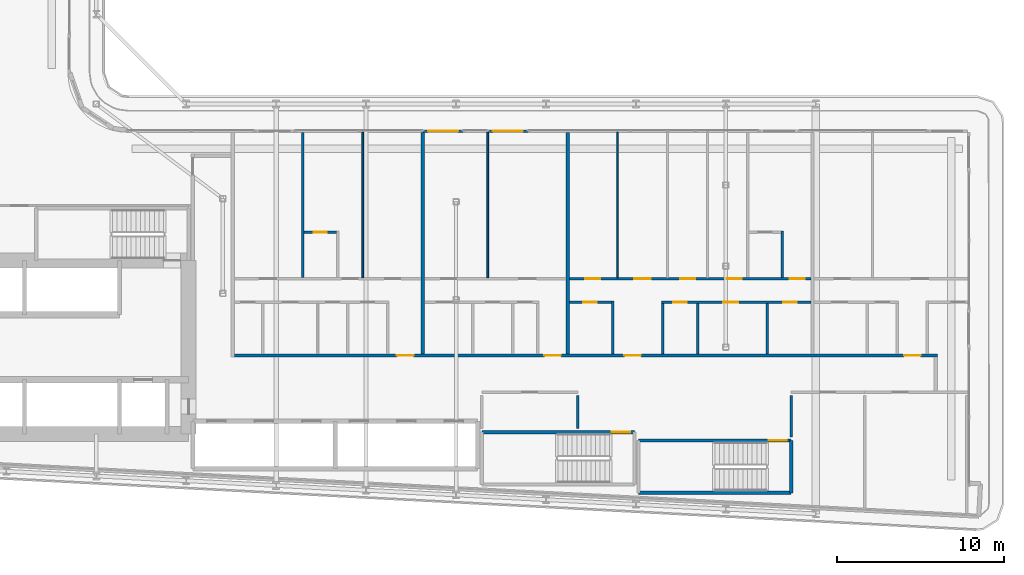
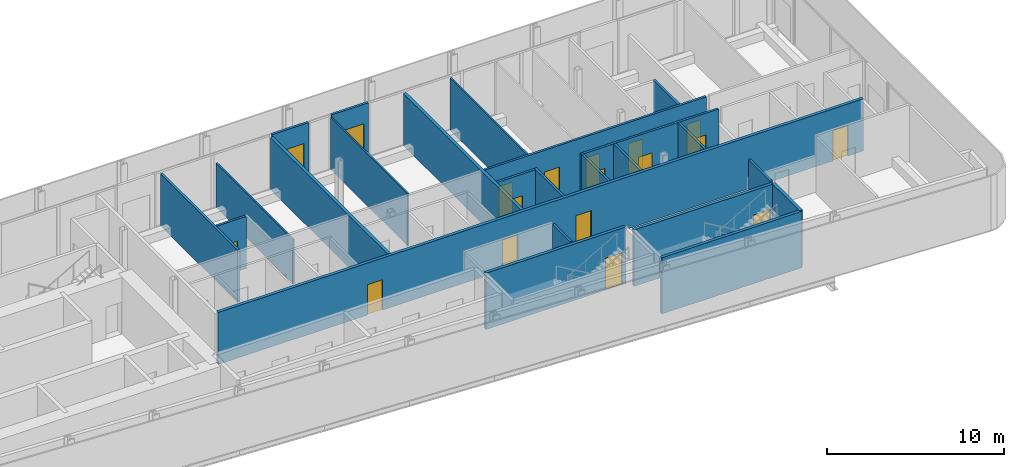
# One storey, part 14 of 25: 24 walls, 18 doors, 18 openings.
"""IFC4 building model written with IfcOpenShell, lengths in metres."""

from ifc_helpers import new_model, si_unit, direction, frame, frame_2d, origin, place, context, subcontext, project, spatial, rectangle, extrude, source, transform, mapped, material, layer, layer_set, type_object, element, fill, save


model = new_model("IFC4")

# Units and contexts
model_context = context("Model", 3, precision=1e-05, world=origin(), true_north=direction((0.0, 1.0)))
body_context = subcontext(model_context, "Body", "Model", "MODEL_VIEW")
ifc_project = project(units=[si_unit("LENGTHUNIT", "METRE"), si_unit("AREAUNIT", "SQUARE_METRE"), si_unit("VOLUMEUNIT", "CUBIC_METRE"), si_unit("PLANEANGLEUNIT", "RADIAN"), si_unit("MASSUNIT", "GRAM", prefix="KILO")], contexts=[model_context])

# Site, building, storey
site_placement = place(None, origin())
site = spatial("IfcSite", under=ifc_project, at=site_placement, CompositionType="ELEMENT")
building_placement = place(site_placement, origin())
building = spatial("IfcBuilding", under=site, at=building_placement, Name="Kheshtan School and Residences Tower", CompositionType="ELEMENT")
storey_placement = place(building_placement, frame((0.0, 0.0, 109.699951171875)))
storey = spatial("IfcBuildingStorey", under=building, at=storey_placement, Name="L25", CompositionType="ELEMENT", Elevation=109.699951171875)

# Wall, openings, doors
ifc_material_1 = material(Name="Gypsum board on steel studs with fire boards", Category="steel")
ifc_layer_1 = layer(ifc_material_1, 0.199951171875)
ifc_layer_set_1 = layer_set([ifc_layer_1], Name="Corridor wall 200")
wall_type_1 = type_object("IfcWallType", Name="Corridor wall 200", PredefinedType="PARTITIONING", material=ifc_layer_set_1)
wall_1_placement = place(storey_placement, frame((55.89990234375, 30.5, 0.0), z_axis=(0.0, 0.0, 1.0), x_axis=(1.0, 0.0, 0.0)))
wall_1 = element("IfcWall", 1, at=wall_1_placement, inside=storey, type_object=wall_type_1, Name="Partition L25-033", PredefinedType="PARTITIONING", context=body_context, shape_type="SweptSolid", body=[
    extrude(rectangle(XDim=42.2001953125, YDim=0.199951171875, at=frame_2d((21.10009765625, 0.0))), origin(), (0.0, 0.0, 1.0), 3.60009765625),
])
opening_1_placement = place(wall_1_placement, frame((9.75, 0.0, 0.0)))
opening_1 = element("IfcOpeningElement", 2, at=opening_1_placement, cuts=wall_1, Name="Opening D25-004", PredefinedType="OPENING", context=body_context, shape_type="SweptSolid", body=[
    extrude(rectangle(XDim=1.0, YDim=2.10009765625, at=frame_2d((0.5, 1.050048828125))), frame((0.0, 0.10986328125, 0.0), z_axis=(0.0, -1.0, 0.0), x_axis=(1.0, 0.0, 0.0)), (0.0, 0.0, 1.0), 0.219970703125),
])
opening_2_placement = place(wall_1_placement, frame((18.60009765625, 0.0, 0.0)))
opening_2 = element("IfcOpeningElement", 3, at=opening_2_placement, cuts=wall_1, Name="Opening D25-012", PredefinedType="OPENING", context=body_context, shape_type="SweptSolid", body=[
    extrude(rectangle(XDim=1.0, YDim=2.10009765625, at=frame_2d((0.5, 1.050048828125))), frame((0.0, 0.10986328125, 0.0), z_axis=(0.0, -1.0, 0.0), x_axis=(1.0, 0.0, 0.0)), (0.0, 0.0, 1.0), 0.219970703125),
])
opening_3_placement = place(wall_1_placement, frame((23.39990234375, 0.0, 0.0)))
opening_3 = element("IfcOpeningElement", 4, at=opening_3_placement, cuts=wall_1, Name="Opening D25-021", PredefinedType="OPENING", context=body_context, shape_type="SweptSolid", body=[
    extrude(rectangle(XDim=1.0, YDim=2.10009765625, at=frame_2d((0.5, 1.050048828125))), frame((0.0, 0.10986328125, 0.0), z_axis=(0.0, -1.0, 0.0), x_axis=(1.0, 0.0, 0.0)), (0.0, 0.0, 1.0), 0.219970703125),
])
opening_4_placement = place(wall_1_placement, frame((40.199951171875, 0.0, 0.0)))
opening_4 = element("IfcOpeningElement", 5, at=opening_4_placement, cuts=wall_1, Name="Opening D25-029", PredefinedType="OPENING", context=body_context, shape_type="SweptSolid", body=[
    extrude(rectangle(XDim=1.0, YDim=2.10009765625, at=frame_2d((0.5, 1.050048828125))), frame((0.0, 0.10986328125, 0.0), z_axis=(0.0, -1.0, 0.0), x_axis=(1.0, 0.0, 0.0)), (0.0, 0.0, 1.0), 0.219970703125),
])
ifc_material_2 = material(Name="Steel-framed fire-resisting door leaf", Category="steel")
door_type_1 = type_object("IfcDoorType", Name="Fire door FD30S 1000 x 2100", OperationType="SINGLE_SWING_LEFT", PredefinedType="DOOR", material=ifc_material_2)
shared_shape_1 = source(origin(), body_context, "Body", "SweptSolid", [
    extrude(rectangle(XDim=1.0, YDim=2.10009765625, at=frame_2d((0.5, 1.050048828125))), frame((0.0, 0.02490234375, 0.0), z_axis=(0.0, -1.0, 0.0), x_axis=(1.0, 0.0, 0.0)), (0.0, 0.0, 1.0), 0.050048828125),
])
door_1_placement = place(opening_1_placement, origin())
door_1 = element("IfcDoor", 6, at=door_1_placement, inside=storey, type_object=door_type_1, Name="Door D25-004", OperationType="SINGLE_SWING_RIGHT", OverallHeight=2.10009765625, OverallWidth=1.0, PredefinedType="DOOR", context=body_context, shape_type="MappedRepresentation", body=[
    mapped(shared_shape_1, transform((0.0, 0.0, 0.0), x_axis=(1.0, 0.0, 0.0), y_axis=(0.0, 1.0, 0.0), z_axis=(0.0, 0.0, 1.0), scale=1.0)),
])
fill(opening_1, door_1)
door_2_placement = place(opening_2_placement, origin())
door_2 = element("IfcDoor", 7, at=door_2_placement, inside=storey, type_object=door_type_1, Name="Door D25-012", OperationType="SINGLE_SWING_RIGHT", OverallHeight=2.10009765625, OverallWidth=1.0, PredefinedType="DOOR", context=body_context, shape_type="MappedRepresentation", body=[
    mapped(shared_shape_1, transform((0.0, 0.0, 0.0), x_axis=(1.0, 0.0, 0.0), y_axis=(0.0, 1.0, 0.0), z_axis=(0.0, 0.0, 1.0), scale=1.0)),
])
fill(opening_2, door_2)
door_3_placement = place(opening_3_placement, origin())
door_3 = element("IfcDoor", 8, at=door_3_placement, inside=storey, type_object=door_type_1, Name="Door D25-021", OperationType="SINGLE_SWING_LEFT", OverallHeight=2.10009765625, OverallWidth=1.0, PredefinedType="DOOR", context=body_context, shape_type="MappedRepresentation", body=[
    mapped(shared_shape_1, transform((0.0, 0.0, 0.0), x_axis=(1.0, 0.0, 0.0), y_axis=(0.0, 1.0, 0.0), z_axis=(0.0, 0.0, 1.0), scale=1.0)),
])
fill(opening_3, door_3)
door_4_placement = place(opening_4_placement, origin())
door_4 = element("IfcDoor", 9, at=door_4_placement, inside=storey, type_object=door_type_1, Name="Door D25-029", OperationType="SINGLE_SWING_RIGHT", OverallHeight=2.10009765625, OverallWidth=1.0, PredefinedType="DOOR", context=body_context, shape_type="MappedRepresentation", body=[
    mapped(shared_shape_1, transform((0.0, 0.0, 0.0), x_axis=(1.0, 0.0, 0.0), y_axis=(0.0, 1.0, 0.0), z_axis=(0.0, 0.0, 1.0), scale=1.0)),
])
fill(opening_4, door_4)

# Wall, opening, door
ifc_material_3 = material(Name="Aluminium frame wall with insulated infill", Category="aluminium")
ifc_layer_2 = layer(ifc_material_3, 0.14990234375)
ifc_layer_set_2 = layer_set([ifc_layer_2], Name="Glazing frame wall 150")
wall_type_2 = type_object("IfcWallType", Name="Glazing frame wall 150", PredefinedType="SOLIDWALL", material=ifc_layer_set_2)
wall_2_placement = place(storey_placement, frame((67.218017578125, 43.97509765625, 0.0), z_axis=(0.0, 0.0, 1.0), x_axis=(1.0, 0.0, 0.0)))
wall_2 = element("IfcWall", 10, at=wall_2_placement, inside=storey, type_object=wall_type_2, Name="Balcony door wall L25 8.2", PredefinedType="SOLIDWALL", context=body_context, shape_type="SweptSolid", body=[
    extrude(rectangle(XDim=2.39990234375, YDim=0.14990234375, at=frame_2d((1.199951171875, 0.0))), origin(), (0.0, 0.0, 1.0), 3.75),
])
opening_5_placement = place(wall_2_placement, frame((0.300048828125, 0.0, 0.0)))
opening_5 = element("IfcOpeningElement", 11, at=opening_5_placement, cuts=wall_2, Name="Opening BD", PredefinedType="OPENING", context=body_context, shape_type="SweptSolid", body=[
    extrude(rectangle(XDim=1.800048828125, YDim=2.39990234375, at=frame_2d((0.89990234375, 1.199951171875))), frame((0.0, 0.0849609375, 0.0), z_axis=(0.0, -1.0, 0.0), x_axis=(1.0, 0.0, 0.0)), (0.0, 0.0, 1.0), 0.169921875),
])
ifc_material_4 = material(Name="Clear low-e glass in thermally broken aluminium frame", Category="aluminium")
door_type_2 = type_object("IfcDoorType", Name="Balcony sliding door", OperationType="SLIDING_TO_LEFT", PredefinedType="DOOR", material=ifc_material_4)
shared_shape_2 = source(origin(), body_context, "Body", "SweptSolid", [
    extrude(rectangle(XDim=1.800048828125, YDim=2.39990234375, at=frame_2d((0.89990234375, 1.199951171875))), frame((0.0, 0.02490234375, 0.0), z_axis=(0.0, -1.0, 0.0), x_axis=(1.0, 0.0, 0.0)), (0.0, 0.0, 1.0), 0.050048828125),
])
door_5_placement = place(opening_5_placement, origin())
door_5 = element("IfcDoor", 12, at=door_5_placement, inside=storey, type_object=door_type_2, Name="Balcony door L25 8.2", OperationType="SLIDING_TO_LEFT", OverallHeight=2.39990234375, OverallWidth=1.800048828125, PredefinedType="DOOR", context=body_context, shape_type="MappedRepresentation", body=[
    mapped(shared_shape_2, transform((0.0, 0.0, 0.0), x_axis=(1.0, 0.0, 0.0), y_axis=(0.0, 1.0, 0.0), z_axis=(0.0, 0.0, 1.0), scale=1.0)),
])
fill(opening_5, door_5)

wall_3_placement = place(storey_placement, frame((71.117919921875, 43.97509765625, 0.0), z_axis=(0.0, 0.0, 1.0), x_axis=(1.0, 0.0, 0.0)))
wall_3 = element("IfcWall", 13, at=wall_3_placement, inside=storey, type_object=wall_type_2, Name="Balcony door wall L25 8.3", PredefinedType="SOLIDWALL", context=body_context, shape_type="SweptSolid", body=[
    extrude(rectangle(XDim=2.400146484375, YDim=0.14990234375, at=frame_2d((1.2001953125, 0.0))), origin(), (0.0, 0.0, 1.0), 3.75),
])
opening_6_placement = place(wall_3_placement, frame((0.300048828125, 0.0, 0.0)))
opening_6 = element("IfcOpeningElement", 14, at=opening_6_placement, cuts=wall_3, Name="Opening BD", PredefinedType="OPENING", context=body_context, shape_type="SweptSolid", body=[
    extrude(rectangle(XDim=1.800048828125, YDim=2.39990234375, at=frame_2d((0.89990234375, 1.199951171875))), frame((0.0, 0.0849609375, 0.0), z_axis=(0.0, -1.0, 0.0), x_axis=(1.0, 0.0, 0.0)), (0.0, 0.0, 1.0), 0.169921875),
])
door_6_placement = place(opening_6_placement, origin())
door_6 = element("IfcDoor", 15, at=door_6_placement, inside=storey, type_object=door_type_2, Name="Balcony door L25 8.3", OperationType="SLIDING_TO_LEFT", OverallHeight=2.39990234375, OverallWidth=1.800048828125, PredefinedType="DOOR", context=body_context, shape_type="MappedRepresentation", body=[
    mapped(shared_shape_2, transform((0.0, 0.0, 0.0), x_axis=(1.0, 0.0, 0.0), y_axis=(0.0, 1.0, 0.0), z_axis=(0.0, 0.0, 1.0), scale=1.0)),
])
fill(opening_6, door_6)

# Walls
ifc_material_5 = material(Name="Gypsum board on steel studs", Category="steel")
ifc_layer_3 = layer(ifc_material_5, 0.10009765625)
ifc_layer_set_3 = layer_set([ifc_layer_3], Name="Gypsum partition 100")
wall_type_3 = type_object("IfcWallType", Name="Gypsum partition 100", PredefinedType="PARTITIONING", material=ifc_layer_set_3)
wall_4_placement = place(storey_placement, frame((63.60009765625, 35.175048828125, 0.0), z_axis=(0.0, 0.0, 1.0), x_axis=(0.0, 1.0, 0.0)))
element("IfcWall", 16, at=wall_4_placement, inside=storey, type_object=wall_type_3, Name="Partition L25-042", PredefinedType="PARTITIONING", context=body_context, shape_type="SweptSolid", body=[
    extrude(rectangle(XDim=8.724853515625, YDim=0.10009765625, at=frame_2d((4.3623046875, 0.0))), origin(), (0.0, 0.0, 1.0), 3.072021484375),
])
for number, where, z_axis, x_axis, name in (
    (17, (71.10009765625, 35.175048828125, 0.0), (0.0, 0.0, 1.0), (0.0, 1.0, 0.0), "Partition L25-048"),
    (18, (78.89990234375, 35.175048828125, 0.0), (0.0, 0.0, 1.0), (0.0, 1.0, 0.0), "Partition L25-055"),
):
    element("IfcWall", number, at=place(storey_placement, frame(where, z_axis=z_axis, x_axis=x_axis)), inside=storey, type_object=wall_type_3, Name=name, PredefinedType="PARTITIONING", context=body_context, shape_type="SweptSolid", body=[
        extrude(rectangle(XDim=8.724853515625, YDim=0.10009765625, at=frame_2d((4.3623046875, 0.0))), origin(), (0.0, 0.0, 1.0), 3.60009765625),
    ])
ifc_material_6 = material(Name="Fire-board shaft wall system")
ifc_layer_4 = layer(ifc_material_6, 0.14990234375)
ifc_layer_set_4 = layer_set([ifc_layer_4], Name="Service room wall 150")
wall_type_4 = type_object("IfcWallType", Name="Service room wall 150", PredefinedType="PARTITIONING", material=ifc_layer_set_4)
wall_5_placement = place(storey_placement, frame((76.510009765625, 26.1201171875, 0.0), z_axis=(0.0, 0.0, 1.0), x_axis=(0.0, 1.0, 0.0)))
element("IfcWall", 19, at=wall_5_placement, inside=storey, type_object=wall_type_4, Name="Service room wall", PredefinedType="PARTITIONING", context=body_context, shape_type="SweptSolid", body=[
    extrude(rectangle(XDim=1.98486328125, YDim=0.14990234375, at=frame_2d((0.992431640625, 0.0))), origin(), (0.0, 0.0, 1.0), 3.900146484375),
])
wall_6_placement = place(storey_placement, frame((89.320068359375, 25.6201171875, 0.0), z_axis=(0.0, 0.0, 1.0), x_axis=(0.0, 1.0, 0.0)))
element("IfcWall", 20, at=wall_6_placement, inside=storey, type_object=wall_type_4, Name="Service room wall", PredefinedType="PARTITIONING", context=body_context, shape_type="SweptSolid", body=[
    extrude(rectangle(XDim=2.48486328125, YDim=0.14990234375, at=frame_2d((1.242431640625, 0.0))), origin(), (0.0, 0.0, 1.0), 3.900146484375),
])
ifc_material_7 = material(Name="Concrete C40/50", Category="concrete")
ifc_layer_5 = layer(ifc_material_7, 0.199951171875)
ifc_layer_set_5 = layer_set([ifc_layer_5], Name="Stair enclosure wall 200 Concrete C40/50")
wall_type_5 = type_object("IfcWallType", Name="Stair enclosure wall 200 Concrete C40/50", PredefinedType="SHEAR", material=ifc_layer_set_5)
wall_7_placement = place(storey_placement, frame((80.159912109375, 22.25, 0.0), z_axis=(0.0, 0.0, 1.0), x_axis=(1.0, 0.0, 0.0)))
element("IfcWall", 21, at=wall_7_placement, inside=storey, type_object=wall_type_5, Name="Stair enclosure wall ST4", PredefinedType="SHEAR", context=body_context, shape_type="SweptSolid", body=[
    extrude(rectangle(XDim=9.16015625, YDim=0.199951171875, at=frame_2d((4.580078125, 0.0))), origin(), (0.0, 0.0, 1.0), 3.900146484375),
])

# Wall, opening, door
wall_8_placement = place(storey_placement, frame((80.159912109375, 25.39990234375, 0.0), z_axis=(0.0, 0.0, 1.0), x_axis=(1.0, 0.0, 0.0)))
wall_8 = element("IfcWall", 22, at=wall_8_placement, inside=storey, type_object=wall_type_5, Name="Stair enclosure wall ST4", PredefinedType="SHEAR", context=body_context, shape_type="SweptSolid", body=[
    extrude(rectangle(XDim=9.16015625, YDim=0.199951171875, at=frame_2d((4.580078125, 0.0))), origin(), (0.0, 0.0, 1.0), 3.900146484375),
])
opening_7_placement = place(wall_8_placement, frame((7.81005859375, 0.0, 0.0)))
opening_7 = element("IfcOpeningElement", 23, at=opening_7_placement, cuts=wall_8, Name="Opening ST4D", PredefinedType="OPENING", context=body_context, shape_type="SweptSolid", body=[
    extrude(rectangle(XDim=1.10009765625, YDim=2.199951171875, at=frame_2d((0.550048828125, 1.10009765625))), frame((0.0, 0.10986328125, 0.0), z_axis=(0.0, -1.0, 0.0), x_axis=(1.0, 0.0, 0.0)), (0.0, 0.0, 1.0), 0.219970703125),
])
ifc_material_8 = material(Name="Steel door leaf, galvanised", Category="steel")
door_type_3 = type_object("IfcDoorType", Name="Stair door 1100 steel 90 min", OperationType="SINGLE_SWING_LEFT", PredefinedType="DOOR", material=ifc_material_8)
shared_shape_3 = source(origin(), body_context, "Body", "SweptSolid", [
    extrude(rectangle(XDim=1.10009765625, YDim=2.199951171875, at=frame_2d((0.550048828125, 1.10009765625))), frame((0.0, 0.02490234375, 0.0), z_axis=(0.0, -1.0, 0.0), x_axis=(1.0, 0.0, 0.0)), (0.0, 0.0, 1.0), 0.050048828125),
])
door_7_placement = place(opening_7_placement, origin())
door_7 = element("IfcDoor", 24, at=door_7_placement, inside=storey, type_object=door_type_3, Name="Stair ST4 door", OperationType="SINGLE_SWING_LEFT", OverallHeight=2.199951171875, OverallWidth=1.10009765625, PredefinedType="DOOR", context=body_context, shape_type="MappedRepresentation", body=[
    mapped(shared_shape_3, transform((0.0, 0.0, 0.0), x_axis=(1.0, 0.0, 0.0), y_axis=(0.0, 1.0, 0.0), z_axis=(0.0, 0.0, 1.0), scale=1.0)),
])
fill(opening_7, door_7)

# Wall
wall_9_placement = place(storey_placement, frame((89.320068359375, 22.25, 0.0), z_axis=(0.0, 0.0, 1.0), x_axis=(0.0, 1.0, 0.0)))
element("IfcWall", 25, at=wall_9_placement, inside=storey, type_object=wall_type_5, Name="Stair enclosure wall ST4", PredefinedType="SHEAR", context=body_context, shape_type="SweptSolid", body=[
    extrude(rectangle(XDim=3.14990234375, YDim=0.199951171875, at=frame_2d((1.574951171875, 0.0))), origin(), (0.0, 0.0, 1.0), 3.900146484375),
])

# Wall, opening, door
wall_10_placement = place(storey_placement, frame((70.75, 25.89990234375, 0.0), z_axis=(0.0, 0.0, 1.0), x_axis=(1.0, 0.0, 0.0)))
wall_10 = element("IfcWall", 26, at=wall_10_placement, inside=storey, type_object=wall_type_5, Name="Stair enclosure wall ST5", PredefinedType="SHEAR", context=body_context, shape_type="SweptSolid", body=[
    extrude(rectangle(XDim=9.159912109375, YDim=0.199951171875, at=frame_2d((4.580078125, 0.0))), origin(), (0.0, 0.0, 1.0), 3.900146484375),
])
opening_8_placement = place(wall_10_placement, frame((7.81005859375, 0.0, 0.0)))
opening_8 = element("IfcOpeningElement", 27, at=opening_8_placement, cuts=wall_10, Name="Opening ST5D", PredefinedType="OPENING", context=body_context, shape_type="SweptSolid", body=[
    extrude(rectangle(XDim=1.10009765625, YDim=2.199951171875, at=frame_2d((0.550048828125, 1.10009765625))), frame((0.0, 0.10986328125, 0.0), z_axis=(0.0, -1.0, 0.0), x_axis=(1.0, 0.0, 0.0)), (0.0, 0.0, 1.0), 0.219970703125),
])
door_8_placement = place(opening_8_placement, origin())
door_8 = element("IfcDoor", 28, at=door_8_placement, inside=storey, type_object=door_type_3, Name="Stair ST5 door", OperationType="SINGLE_SWING_LEFT", OverallHeight=2.199951171875, OverallWidth=1.10009765625, PredefinedType="DOOR", context=body_context, shape_type="MappedRepresentation", body=[
    mapped(shared_shape_3, transform((0.0, 0.0, 0.0), x_axis=(1.0, 0.0, 0.0), y_axis=(0.0, 1.0, 0.0), z_axis=(0.0, 0.0, 1.0), scale=1.0)),
])
fill(opening_8, door_8)

# Walls
ifc_material_9 = material(Name="Twin gypsum board on steel studs with mineral wool", Category="steel")
ifc_layer_6 = layer(ifc_material_9, 0.199951171875)
ifc_layer_set_6 = layer_set([ifc_layer_6], Name="Unit demising wall 200")
wall_type_6 = type_object("IfcWallType", Name="Unit demising wall 200", PredefinedType="PARTITIONING", material=ifc_layer_set_6)
for number, where, z_axis, x_axis, name in (
    (29, (67.199951171875, 30.60009765625, 0.0), (0.0, 0.0, 1.0), (0.0, 1.0, 0.0), "Partition L25-044"),
    (30, (75.89990234375, 30.60009765625, 0.0), (0.0, 0.0, 1.0), (0.0, 1.0, 0.0), "Partition L25-051"),
):
    element("IfcWall", number, at=place(storey_placement, frame(where, z_axis=z_axis, x_axis=x_axis)), inside=storey, type_object=wall_type_6, Name=name, PredefinedType="PARTITIONING", context=body_context, shape_type="SweptSolid", body=[
        extrude(rectangle(XDim=13.2998046875, YDim=0.199951171875, at=frame_2d((6.64990234375, 0.0))), origin(), (0.0, 0.0, 1.0), 3.60009765625),
    ])
ifc_material_10 = material(Name="Moisture-resistant gypsum board on steel studs", Category="steel")
ifc_layer_7 = layer(ifc_material_10, 0.14990234375)
ifc_layer_set_7 = layer_set([ifc_layer_7], Name="Wet-room partition 150")
wall_type_7 = type_object("IfcWallType", Name="Wet-room partition 150", PredefinedType="PARTITIONING", material=ifc_layer_set_7)
wall_11_placement = place(storey_placement, frame((60.0, 35.175048828125, 0.0), z_axis=(0.0, 0.0, 1.0), x_axis=(0.0, 1.0, 0.0)))
element("IfcWall", 31, at=wall_11_placement, inside=storey, type_object=wall_type_7, Name="Partition L25-037", PredefinedType="PARTITIONING", context=body_context, shape_type="SweptSolid", body=[
    extrude(rectangle(XDim=8.724853515625, YDim=0.14990234375, at=frame_2d((4.3623046875, 0.0))), origin(), (0.0, 0.0, 1.0), 3.60009765625),
])

# Wall, opening, door
wall_12_placement = place(storey_placement, frame((60.074951171875, 37.89990234375, 0.0), z_axis=(0.0, 0.0, 1.0), x_axis=(1.0, 0.0, 0.0)))
wall_12 = element("IfcWall", 32, at=wall_12_placement, inside=storey, type_object=wall_type_7, Name="Partition L25-038", PredefinedType="PARTITIONING", context=body_context, shape_type="SweptSolid", body=[
    extrude(rectangle(XDim=1.949951171875, YDim=0.14990234375, at=frame_2d((0.97509765625, 0.0))), origin(), (0.0, 0.0, 1.0), 3.60009765625),
])
opening_9_placement = place(wall_12_placement, frame((0.574951171875, 0.0, 0.0)))
opening_9 = element("IfcOpeningElement", 33, at=opening_9_placement, cuts=wall_12, Name="Opening D25-003", PredefinedType="OPENING", context=body_context, shape_type="SweptSolid", body=[
    extrude(rectangle(XDim=0.800048828125, YDim=2.10009765625, at=frame_2d((0.39990234375, 1.050048828125))), frame((0.0, 0.0849609375, 0.0), z_axis=(0.0, -1.0, 0.0), x_axis=(1.0, 0.0, 0.0)), (0.0, 0.0, 1.0), 0.169921875),
])
ifc_material_11 = material(Name="Veneered timber door leaf", Category="wood")
door_type_4 = type_object("IfcDoorType", Name="Door 800 x 2100", OperationType="SINGLE_SWING_LEFT", PredefinedType="DOOR", material=ifc_material_11)
shared_shape_4 = source(origin(), body_context, "Body", "SweptSolid", [
    extrude(rectangle(XDim=0.800048828125, YDim=2.10009765625, at=frame_2d((0.39990234375, 1.050048828125))), frame((0.0, 0.02490234375, 0.0), z_axis=(0.0, -1.0, 0.0), x_axis=(1.0, 0.0, 0.0)), (0.0, 0.0, 1.0), 0.050048828125),
])
door_9_placement = place(opening_9_placement, origin())
door_9 = element("IfcDoor", 34, at=door_9_placement, inside=storey, type_object=door_type_4, Name="Door D25-003", OperationType="SINGLE_SWING_LEFT", OverallHeight=2.10009765625, OverallWidth=0.800048828125, PredefinedType="DOOR", context=body_context, shape_type="MappedRepresentation", body=[
    mapped(shared_shape_4, transform((0.0, 0.0, 0.0), x_axis=(1.0, 0.0, 0.0), y_axis=(0.0, 1.0, 0.0), z_axis=(0.0, 0.0, 1.0), scale=1.0)),
])
fill(opening_9, door_9)

wall_13_placement = place(storey_placement, frame((76.0, 33.699951171875, 0.0), z_axis=(0.0, 0.0, 1.0), x_axis=(1.0, 0.0, 0.0)))
wall_13 = element("IfcWall", 35, at=wall_13_placement, inside=storey, type_object=wall_type_7, Name="Partition L25-052", PredefinedType="PARTITIONING", context=body_context, shape_type="SweptSolid", body=[
    extrude(rectangle(XDim=2.52490234375, YDim=0.14990234375, at=frame_2d((1.262451171875, 0.0))), origin(), (0.0, 0.0, 1.0), 3.60009765625),
])
opening_10_placement = place(wall_13_placement, frame((0.85009765625, 0.0, 0.0)))
opening_10 = element("IfcOpeningElement", 36, at=opening_10_placement, cuts=wall_13, Name="Opening D25-016", PredefinedType="OPENING", context=body_context, shape_type="SweptSolid", body=[
    extrude(rectangle(XDim=0.800048828125, YDim=2.10009765625, at=frame_2d((0.39990234375, 1.050048828125))), frame((0.0, 0.0849609375, 0.0), z_axis=(0.0, -1.0, 0.0), x_axis=(1.0, 0.0, 0.0)), (0.0, 0.0, 1.0), 0.169921875),
])
door_10_placement = place(opening_10_placement, origin())
door_10 = element("IfcDoor", 37, at=door_10_placement, inside=storey, type_object=door_type_4, Name="Door D25-016", OperationType="SINGLE_SWING_LEFT", OverallHeight=2.10009765625, OverallWidth=0.800048828125, PredefinedType="DOOR", context=body_context, shape_type="MappedRepresentation", body=[
    mapped(shared_shape_4, transform((0.0, 0.0, 0.0), x_axis=(1.0, 0.0, 0.0), y_axis=(0.0, 1.0, 0.0), z_axis=(0.0, 0.0, 1.0), scale=1.0)),
])
fill(opening_10, door_10)

# Wall, openings, doors
wall_14_placement = place(storey_placement, frame((76.0, 35.10009765625, 0.0), z_axis=(0.0, 0.0, 1.0), x_axis=(1.0, 0.0, 0.0)))
wall_14 = element("IfcWall", 38, at=wall_14_placement, inside=storey, type_object=wall_type_7, Name="Partition L25-053", PredefinedType="PARTITIONING", context=body_context, shape_type="SweptSolid", body=[
    extrude(rectangle(XDim=14.5, YDim=0.14990234375, at=frame_2d((7.25, 0.0))), origin(), (0.0, 0.0, 1.0), 3.60009765625),
])
opening_11_placement = place(wall_14_placement, frame((0.949951171875, 0.0, 0.0)))
opening_11 = element("IfcOpeningElement", 39, at=opening_11_placement, cuts=wall_14, Name="Opening D25-018", PredefinedType="OPENING", context=body_context, shape_type="SweptSolid", body=[
    extrude(rectangle(XDim=0.89990234375, YDim=2.10009765625, at=frame_2d((0.449951171875, 1.050048828125))), frame((0.0, 0.0849609375, 0.0), z_axis=(0.0, -1.0, 0.0), x_axis=(1.0, 0.0, 0.0)), (0.0, 0.0, 1.0), 0.169921875),
])
opening_12_placement = place(wall_14_placement, frame((6.64990234375, 0.0, 0.0)))
opening_12 = element("IfcOpeningElement", 40, at=opening_12_placement, cuts=wall_14, Name="Opening D25-019", PredefinedType="OPENING", context=body_context, shape_type="SweptSolid", body=[
    extrude(rectangle(XDim=0.89990234375, YDim=2.10009765625, at=frame_2d((0.449951171875, 1.050048828125))), frame((0.0, 0.0849609375, 0.0), z_axis=(0.0, -1.0, 0.0), x_axis=(1.0, 0.0, 0.0)), (0.0, 0.0, 1.0), 0.169921875),
])
opening_13_placement = place(wall_14_placement, frame((3.89990234375, 0.0, 0.0)))
opening_13 = element("IfcOpeningElement", 41, at=opening_13_placement, cuts=wall_14, Name="Opening D25-023", PredefinedType="OPENING", context=body_context, shape_type="SweptSolid", body=[
    extrude(rectangle(XDim=1.0, YDim=2.10009765625, at=frame_2d((0.5, 1.050048828125))), frame((0.0, 0.0849609375, 0.0), z_axis=(0.0, -1.0, 0.0), x_axis=(1.0, 0.0, 0.0)), (0.0, 0.0, 1.0), 0.169921875),
])
opening_14_placement = place(wall_14_placement, frame((9.449951171875, 0.0, 0.0)))
opening_14 = element("IfcOpeningElement", 42, at=opening_14_placement, cuts=wall_14, Name="Opening D25-024", PredefinedType="OPENING", context=body_context, shape_type="SweptSolid", body=[
    extrude(rectangle(XDim=0.89990234375, YDim=2.10009765625, at=frame_2d((0.449951171875, 1.050048828125))), frame((0.0, 0.0849609375, 0.0), z_axis=(0.0, -1.0, 0.0), x_axis=(1.0, 0.0, 0.0)), (0.0, 0.0, 1.0), 0.169921875),
])
opening_15_placement = place(wall_14_placement, frame((13.25, 0.0, 0.0)))
opening_15 = element("IfcOpeningElement", 43, at=opening_15_placement, cuts=wall_14, Name="Opening D25-025", PredefinedType="OPENING", context=body_context, shape_type="SweptSolid", body=[
    extrude(rectangle(XDim=0.89990234375, YDim=2.10009765625, at=frame_2d((0.449951171875, 1.050048828125))), frame((0.0, 0.0849609375, 0.0), z_axis=(0.0, -1.0, 0.0), x_axis=(1.0, 0.0, 0.0)), (0.0, 0.0, 1.0), 0.169921875),
])
door_type_5 = type_object("IfcDoorType", Name="Door 1000 x 2100", OperationType="SINGLE_SWING_LEFT", PredefinedType="DOOR", material=ifc_material_11)
shared_shape_5 = source(origin(), body_context, "Body", "SweptSolid", [
    extrude(rectangle(XDim=1.0, YDim=2.10009765625, at=frame_2d((0.5, 1.050048828125))), frame((0.0, 0.02490234375, 0.0), z_axis=(0.0, -1.0, 0.0), x_axis=(1.0, 0.0, 0.0)), (0.0, 0.0, 1.0), 0.050048828125),
])
door_11_placement = place(opening_13_placement, origin())
door_11 = element("IfcDoor", 44, at=door_11_placement, inside=storey, type_object=door_type_5, Name="Door D25-023", OperationType="SINGLE_SWING_LEFT", OverallHeight=2.10009765625, OverallWidth=1.0, PredefinedType="DOOR", context=body_context, shape_type="MappedRepresentation", body=[
    mapped(shared_shape_5, transform((0.0, 0.0, 0.0), x_axis=(1.0, 0.0, 0.0), y_axis=(0.0, 1.0, 0.0), z_axis=(0.0, 0.0, 1.0), scale=1.0)),
])
fill(opening_13, door_11)
door_type_6 = type_object("IfcDoorType", Name="Door 900 x 2100", OperationType="SINGLE_SWING_LEFT", PredefinedType="DOOR", material=ifc_material_11)
shared_shape_6 = source(origin(), body_context, "Body", "SweptSolid", [
    extrude(rectangle(XDim=0.89990234375, YDim=2.10009765625, at=frame_2d((0.449951171875, 1.050048828125))), frame((0.0, 0.02490234375, 0.0), z_axis=(0.0, -1.0, 0.0), x_axis=(1.0, 0.0, 0.0)), (0.0, 0.0, 1.0), 0.050048828125),
])
door_12_placement = place(opening_11_placement, origin())
door_12 = element("IfcDoor", 45, at=door_12_placement, inside=storey, type_object=door_type_6, Name="Door D25-018", OperationType="SINGLE_SWING_LEFT", OverallHeight=2.10009765625, OverallWidth=0.89990234375, PredefinedType="DOOR", context=body_context, shape_type="MappedRepresentation", body=[
    mapped(shared_shape_6, transform((0.0, 0.0, 0.0), x_axis=(1.0, 0.0, 0.0), y_axis=(0.0, 1.0, 0.0), z_axis=(0.0, 0.0, 1.0), scale=1.0)),
])
fill(opening_11, door_12)
door_13_placement = place(opening_12_placement, origin())
door_13 = element("IfcDoor", 46, at=door_13_placement, inside=storey, type_object=door_type_6, Name="Door D25-019", OperationType="SINGLE_SWING_RIGHT", OverallHeight=2.10009765625, OverallWidth=0.89990234375, PredefinedType="DOOR", context=body_context, shape_type="MappedRepresentation", body=[
    mapped(shared_shape_6, transform((0.0, 0.0, 0.0), x_axis=(1.0, 0.0, 0.0), y_axis=(0.0, 1.0, 0.0), z_axis=(0.0, 0.0, 1.0), scale=1.0)),
])
fill(opening_12, door_13)
door_14_placement = place(opening_14_placement, origin())
door_14 = element("IfcDoor", 47, at=door_14_placement, inside=storey, type_object=door_type_6, Name="Door D25-024", OperationType="SINGLE_SWING_LEFT", OverallHeight=2.10009765625, OverallWidth=0.89990234375, PredefinedType="DOOR", context=body_context, shape_type="MappedRepresentation", body=[
    mapped(shared_shape_6, transform((0.0, 0.0, 0.0), x_axis=(1.0, 0.0, 0.0), y_axis=(0.0, 1.0, 0.0), z_axis=(0.0, 0.0, 1.0), scale=1.0)),
])
fill(opening_14, door_14)
door_15_placement = place(opening_15_placement, origin())
door_15 = element("IfcDoor", 48, at=door_15_placement, inside=storey, type_object=door_type_6, Name="Door D25-025", OperationType="SINGLE_SWING_RIGHT", OverallHeight=2.10009765625, OverallWidth=0.89990234375, PredefinedType="DOOR", context=body_context, shape_type="MappedRepresentation", body=[
    mapped(shared_shape_6, transform((0.0, 0.0, 0.0), x_axis=(1.0, 0.0, 0.0), y_axis=(0.0, 1.0, 0.0), z_axis=(0.0, 0.0, 1.0), scale=1.0)),
])
fill(opening_15, door_15)

# Wall
wall_15_placement = place(storey_placement, frame((78.60009765625, 30.60009765625, 0.0), z_axis=(0.0, 0.0, 1.0), x_axis=(0.0, 1.0, 0.0)))
element("IfcWall", 49, at=wall_15_placement, inside=storey, type_object=wall_type_7, Name="Partition L25-054", PredefinedType="PARTITIONING", context=body_context, shape_type="SweptSolid", body=[
    extrude(rectangle(XDim=3.1748046875, YDim=0.14990234375, at=frame_2d((1.58740234375, 0.0))), origin(), (0.0, 0.0, 1.0), 3.60009765625),
])

# Wall, openings, doors
wall_16_placement = place(storey_placement, frame((81.52490234375, 33.699951171875, 0.0), z_axis=(0.0, 0.0, 1.0), x_axis=(1.0, 0.0, 0.0)))
wall_16 = element("IfcWall", 50, at=wall_16_placement, inside=storey, type_object=wall_type_7, Name="Partition L25-056", PredefinedType="PARTITIONING", context=body_context, shape_type="SweptSolid", body=[
    extrude(rectangle(XDim=8.97509765625, YDim=0.14990234375, at=frame_2d((4.487548828125, 0.0))), origin(), (0.0, 0.0, 1.0), 3.60009765625),
])
opening_16_placement = place(wall_16_placement, frame((7.324951171875, 0.0, 0.0)))
opening_16 = element("IfcOpeningElement", 51, at=opening_16_placement, cuts=wall_16, Name="Opening D25-017", PredefinedType="OPENING", context=body_context, shape_type="SweptSolid", body=[
    extrude(rectangle(XDim=0.800048828125, YDim=2.10009765625, at=frame_2d((0.39990234375, 1.050048828125))), frame((0.0, 0.0849609375, 0.0), z_axis=(0.0, -1.0, 0.0), x_axis=(1.0, 0.0, 0.0)), (0.0, 0.0, 1.0), 0.169921875),
])
opening_17_placement = place(wall_16_placement, frame((3.72509765625, 0.0, 0.0)))
opening_17 = element("IfcOpeningElement", 52, at=opening_17_placement, cuts=wall_16, Name="Opening D25-022", PredefinedType="OPENING", context=body_context, shape_type="SweptSolid", body=[
    extrude(rectangle(XDim=0.89990234375, YDim=2.10009765625, at=frame_2d((0.449951171875, 1.050048828125))), frame((0.0, 0.0849609375, 0.0), z_axis=(0.0, -1.0, 0.0), x_axis=(1.0, 0.0, 0.0)), (0.0, 0.0, 1.0), 0.169921875),
])
opening_18_placement = place(wall_16_placement, frame((0.72509765625, 0.0, 0.0)))
opening_18 = element("IfcOpeningElement", 53, at=opening_18_placement, cuts=wall_16, Name="Opening D25-026", PredefinedType="OPENING", context=body_context, shape_type="SweptSolid", body=[
    extrude(rectangle(XDim=0.800048828125, YDim=2.10009765625, at=frame_2d((0.39990234375, 1.050048828125))), frame((0.0, 0.0849609375, 0.0), z_axis=(0.0, -1.0, 0.0), x_axis=(1.0, 0.0, 0.0)), (0.0, 0.0, 1.0), 0.169921875),
])
door_16_placement = place(opening_16_placement, origin())
door_16 = element("IfcDoor", 54, at=door_16_placement, inside=storey, type_object=door_type_4, Name="Door D25-017", OperationType="SINGLE_SWING_RIGHT", OverallHeight=2.10009765625, OverallWidth=0.800048828125, PredefinedType="DOOR", context=body_context, shape_type="MappedRepresentation", body=[
    mapped(shared_shape_4, transform((0.0, 0.0, 0.0), x_axis=(1.0, 0.0, 0.0), y_axis=(0.0, 1.0, 0.0), z_axis=(0.0, 0.0, 1.0), scale=1.0)),
])
fill(opening_16, door_16)
door_17_placement = place(opening_18_placement, origin())
door_17 = element("IfcDoor", 55, at=door_17_placement, inside=storey, type_object=door_type_4, Name="Door D25-026", OperationType="SINGLE_SWING_RIGHT", OverallHeight=2.10009765625, OverallWidth=0.800048828125, PredefinedType="DOOR", context=body_context, shape_type="MappedRepresentation", body=[
    mapped(shared_shape_4, transform((0.0, 0.0, 0.0), x_axis=(1.0, 0.0, 0.0), y_axis=(0.0, 1.0, 0.0), z_axis=(0.0, 0.0, 1.0), scale=1.0)),
])
fill(opening_18, door_17)
door_18_placement = place(opening_17_placement, origin())
door_18 = element("IfcDoor", 56, at=door_18_placement, inside=storey, type_object=door_type_6, Name="Door D25-022", OperationType="SINGLE_SWING_RIGHT", OverallHeight=2.10009765625, OverallWidth=0.89990234375, PredefinedType="DOOR", context=body_context, shape_type="MappedRepresentation", body=[
    mapped(shared_shape_6, transform((0.0, 0.0, 0.0), x_axis=(1.0, 0.0, 0.0), y_axis=(0.0, 1.0, 0.0), z_axis=(0.0, 0.0, 1.0), scale=1.0)),
])
fill(opening_17, door_18)

# Walls
for number, where, z_axis, x_axis, name in (
    (57, (81.60009765625, 30.60009765625, 0.0), (0.0, 0.0, 1.0), (0.0, 1.0, 0.0), "Partition L25-057"),
    (58, (83.699951171875, 30.60009765625, 0.0), (0.0, 0.0, 1.0), (0.0, 1.0, 0.0), "Partition L25-059"),
    (59, (87.89990234375, 30.60009765625, 0.0), (0.0, 0.0, 1.0), (0.0, 1.0, 0.0), "Partition L25-063"),
):
    element("IfcWall", number, at=place(storey_placement, frame(where, z_axis=z_axis, x_axis=x_axis)), inside=storey, type_object=wall_type_7, Name=name, PredefinedType="PARTITIONING", context=body_context, shape_type="SweptSolid", body=[
        extrude(rectangle(XDim=3.02490234375, YDim=0.14990234375, at=frame_2d((1.512451171875, 0.0))), origin(), (0.0, 0.0, 1.0), 3.60009765625),
    ])
wall_17_placement = place(storey_placement, frame((88.800048828125, 35.175048828125, 0.0), z_axis=(0.0, 0.0, 1.0), x_axis=(0.0, 1.0, 0.0)))
element("IfcWall", 60, at=wall_17_placement, inside=storey, type_object=wall_type_7, Name="Partition L25-064", PredefinedType="PARTITIONING", context=body_context, shape_type="SweptSolid", body=[
    extrude(rectangle(XDim=2.800048828125, YDim=0.14990234375, at=frame_2d((1.39990234375, 0.0))), origin(), (0.0, 0.0, 1.0), 3.60009765625),
])

save(model, "model.ifc")
